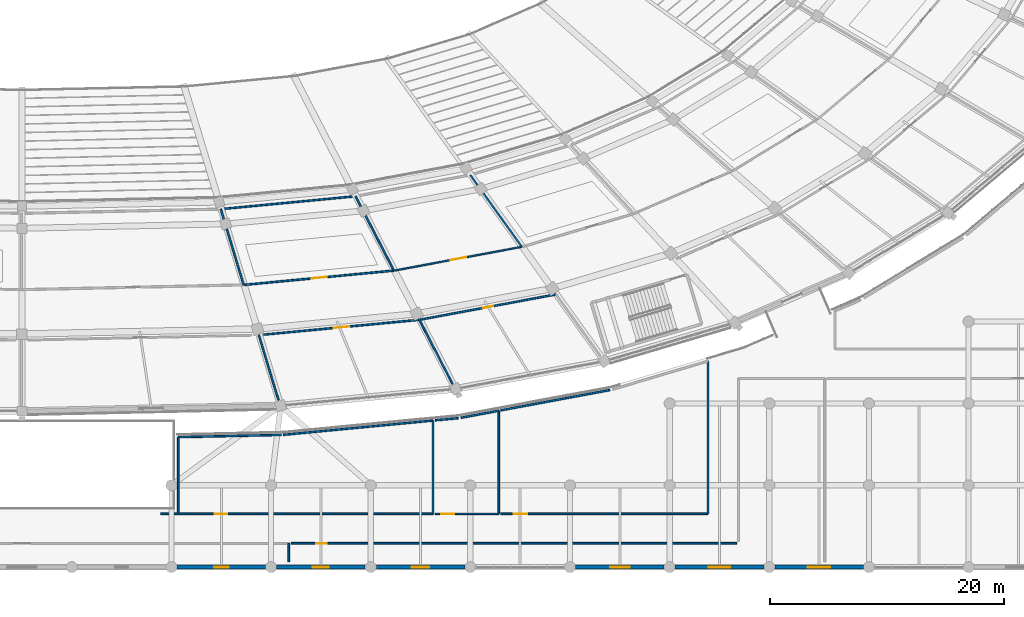
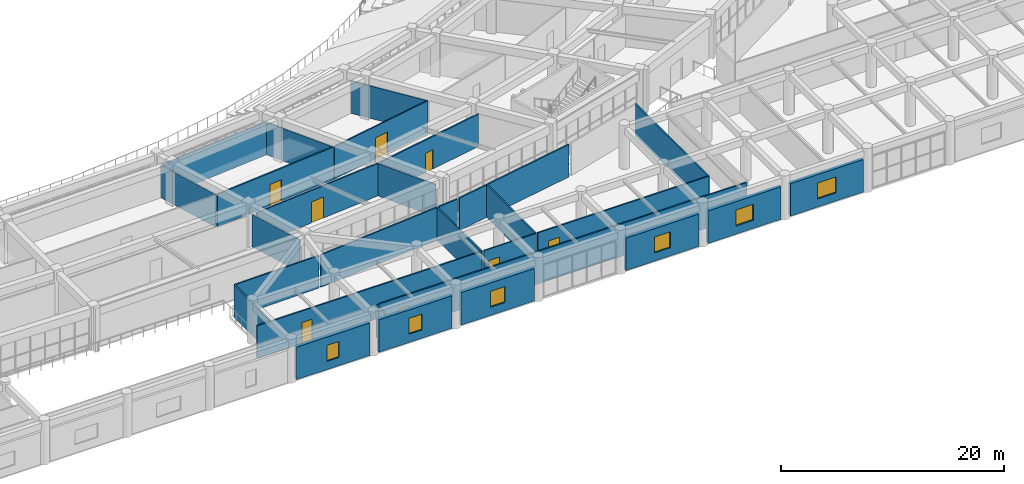
# One storey, part 102 of 152: 30 walls, 8 doors, 6 windows, 14 openings.
"""IFC4 building model written with IfcOpenShell, lengths in metres."""

from ifc_helpers import new_model, si_unit, direction, frame, frame_2d, origin, place, context, subcontext, project, spatial, rectangle, extrude, material, layer, layer_set, type_object, element, fill, save


model = new_model("IFC4")

# Units and contexts
model_context = context("Model", 3, precision=1e-05, world=origin(), true_north=direction((0.0, 1.0)))
body_context = subcontext(model_context, "Body", "Model", "MODEL_VIEW")
ifc_project = project(units=[si_unit("LENGTHUNIT", "METRE"), si_unit("AREAUNIT", "SQUARE_METRE"), si_unit("VOLUMEUNIT", "CUBIC_METRE"), si_unit("PLANEANGLEUNIT", "RADIAN"), si_unit("MASSUNIT", "GRAM", prefix="KILO")], contexts=[model_context])

# Site, building, storey
site_placement = place(None, origin())
site = spatial("IfcSite", under=ifc_project, at=site_placement, CompositionType="ELEMENT")
building_placement = place(site_placement, origin())
building = spatial("IfcBuilding", under=site, at=building_placement, Name="Mphavela Belvedere Stadium", CompositionType="ELEMENT")
storey_placement = place(building_placement, frame((0.0, 0.0, 5.39990234375)))
storey = spatial("IfcBuildingStorey", under=building, at=storey_placement, Name="L01", CompositionType="ELEMENT", Elevation=5.39990234375)

# Wall, opening, window
ifc_material_1 = material(Name="Honed ashlar limestone masonry", Category="masonry")
ifc_layer_1 = layer(ifc_material_1, 0.35009765625)
ifc_layer_set_1 = layer_set([ifc_layer_1], Name="Honed ashlar limestone masonry")
wall_type_1 = type_object("IfcWallType", Name="WAL-EXT-ASHLAR-350", PredefinedType="STANDARD", material=ifc_layer_set_1)
wall_1_placement = place(storey_placement, frame((135.822998046875, 0.0, 0.0), z_axis=(0.0, 0.0, 1.0), x_axis=(-1.0, 0.0, 0.0)))
wall_1 = element("IfcWall", 1, at=wall_1_placement, inside=storey, type_object=wall_type_1, Name="South Axial Triumphal Peristyle Portico outer facade bay L01-16", PredefinedType="STANDARD", context=body_context, shape_type="SweptSolid", body=[
    extrude(rectangle(XDim=7.572021484375, YDim=0.35009765625, at=frame_2d((3.7861328125, 0.0))), origin(), (0.0, 0.0, 1.0), 3.56005859375),
])
opening_1_placement = place(wall_1_placement, frame((3.166015625, 0.0, 0.89990234375)))
opening_1 = element("IfcOpeningElement", 2, at=opening_1_placement, cuts=wall_1, Name="Opening W-057", PredefinedType="OPENING", context=body_context, shape_type="SweptSolid", body=[
    extrude(rectangle(XDim=1.239990234375, YDim=1.75, at=frame_2d((0.6201171875, 0.875))), frame((0.0, 0.18505859375, 0.0), z_axis=(0.0, -1.0, 0.0), x_axis=(1.0, 0.0, 0.0)), (0.0, 0.0, 1.0), 0.3701171875),
])
ifc_material_2 = material(Name="Bronze-anodised thermally broken aluminium window", Category="aluminium")
window_type_1 = type_object("IfcWindowType", Name="WIN-EXT-13", PartitioningType="SINGLE_PANEL", PredefinedType="WINDOW", material=ifc_material_2)
window_1_placement = place(opening_1_placement, origin())
window_1 = element("IfcWindow", 3, at=window_1_placement, inside=storey, type_object=window_type_1, Name="South Axial Triumphal Peristyle Portico classical window W-057", OverallHeight=1.75, OverallWidth=1.239990234375, PartitioningType="SINGLE_PANEL", PredefinedType="WINDOW", context=body_context, shape_type="SweptSolid", body=[
    extrude(rectangle(XDim=1.239990234375, YDim=1.75, at=frame_2d((0.6201171875, 0.875))), frame((0.0, 0.030029296875, 0.0), z_axis=(0.0, -1.0, 0.0), x_axis=(1.0, 0.0, 0.0)), (0.0, 0.0, 1.0), 0.06005859375),
])
fill(opening_1, window_1)

wall_2_placement = place(storey_placement, frame((144.342041015625, 0.0, 0.0), z_axis=(0.0, 0.0, 1.0), x_axis=(-1.0, 0.0, 0.0)))
wall_2 = element("IfcWall", 4, at=wall_2_placement, inside=storey, type_object=wall_type_1, Name="South Axial Triumphal Peristyle Portico outer facade bay L01-17", PredefinedType="STANDARD", context=body_context, shape_type="SweptSolid", body=[
    extrude(rectangle(XDim=7.572998046875, YDim=0.35009765625, at=frame_2d((3.78662109375, 0.0))), origin(), (0.0, 0.0, 1.0), 3.56005859375),
])
opening_2_placement = place(wall_2_placement, frame((3.096435546875, 0.0, 0.89990234375)))
opening_2 = element("IfcOpeningElement", 5, at=opening_2_placement, cuts=wall_2, Name="Opening W-058", PredefinedType="OPENING", context=body_context, shape_type="SweptSolid", body=[
    extrude(rectangle(XDim=1.3798828125, YDim=1.75, at=frame_2d((0.68994140625, 0.875))), frame((0.0, 0.18505859375, 0.0), z_axis=(0.0, -1.0, 0.0), x_axis=(1.0, 0.0, 0.0)), (0.0, 0.0, 1.0), 0.3701171875),
])
ifc_material_3 = material(Name="Bronze-anodised thermally broken aluminium window", Category="aluminium")
window_type_2 = type_object("IfcWindowType", Name="WIN-EXT-14", PartitioningType="SINGLE_PANEL", PredefinedType="WINDOW", material=ifc_material_3)
window_2_placement = place(opening_2_placement, origin())
window_2 = element("IfcWindow", 6, at=window_2_placement, inside=storey, type_object=window_type_2, Name="South Axial Triumphal Peristyle Portico classical window W-058", OverallHeight=1.75, OverallWidth=1.3798828125, PartitioningType="SINGLE_PANEL", PredefinedType="WINDOW", context=body_context, shape_type="SweptSolid", body=[
    extrude(rectangle(XDim=1.3798828125, YDim=1.75, at=frame_2d((0.68994140625, 0.875))), frame((0.0, 0.030029296875, 0.0), z_axis=(0.0, -1.0, 0.0), x_axis=(1.0, 0.0, 0.0)), (0.0, 0.0, 1.0), 0.06005859375),
])
fill(opening_2, window_2)

wall_3_placement = place(storey_placement, frame((152.860107421875, 0.0, 0.0), z_axis=(0.0, 0.0, 1.0), x_axis=(-1.0, 0.0, 0.0)))
wall_3 = element("IfcWall", 7, at=wall_3_placement, inside=storey, type_object=wall_type_1, Name="South Axial Triumphal Peristyle Portico outer facade bay L01-18", PredefinedType="STANDARD", context=body_context, shape_type="SweptSolid", body=[
    extrude(rectangle(XDim=7.572021484375, YDim=0.35009765625, at=frame_2d((3.7861328125, 0.0))), origin(), (0.0, 0.0, 1.0), 3.56005859375),
])
opening_3_placement = place(wall_3_placement, frame((3.02587890625, 0.0, 0.89990234375)))
opening_3 = element("IfcOpeningElement", 8, at=opening_3_placement, cuts=wall_3, Name="Opening W-059", PredefinedType="OPENING", context=body_context, shape_type="SweptSolid", body=[
    extrude(rectangle(XDim=1.52001953125, YDim=1.75, at=frame_2d((0.760009765625, 0.875))), frame((0.0, 0.18505859375, 0.0), z_axis=(0.0, -1.0, 0.0), x_axis=(1.0, 0.0, 0.0)), (0.0, 0.0, 1.0), 0.3701171875),
])
ifc_material_4 = material(Name="Bronze-anodised thermally broken aluminium window", Category="aluminium")
window_type_3 = type_object("IfcWindowType", Name="WIN-EXT-15", PartitioningType="SINGLE_PANEL", PredefinedType="WINDOW", material=ifc_material_4)
window_3_placement = place(opening_3_placement, origin())
window_3 = element("IfcWindow", 9, at=window_3_placement, inside=storey, type_object=window_type_3, Name="South Axial Triumphal Peristyle Portico classical window W-059", OverallHeight=1.75, OverallWidth=1.52001953125, PartitioningType="SINGLE_PANEL", PredefinedType="WINDOW", context=body_context, shape_type="SweptSolid", body=[
    extrude(rectangle(XDim=1.52001953125, YDim=1.75, at=frame_2d((0.760009765625, 0.875))), frame((0.0, 0.030029296875, 0.0), z_axis=(0.0, -1.0, 0.0), x_axis=(1.0, 0.0, 0.0)), (0.0, 0.0, 1.0), 0.06005859375),
])
fill(opening_3, window_3)

wall_4_placement = place(storey_placement, frame((169.89697265625, 0.0, 0.0), z_axis=(0.0, 0.0, 1.0), x_axis=(-1.0, 0.0, 0.0)))
wall_4 = element("IfcWall", 10, at=wall_4_placement, inside=storey, type_object=wall_type_1, Name="South Axial Triumphal Peristyle Portico outer facade bay L01-20", PredefinedType="STANDARD", context=body_context, shape_type="SweptSolid", body=[
    extrude(rectangle(XDim=7.572021484375, YDim=0.35009765625, at=frame_2d((3.7861328125, 0.0))), origin(), (0.0, 0.0, 1.0), 3.56005859375),
])
opening_4_placement = place(wall_4_placement, frame((2.9560546875, 0.0, 0.89990234375)))
opening_4 = element("IfcOpeningElement", 11, at=opening_4_placement, cuts=wall_4, Name="Opening W-060", PredefinedType="OPENING", context=body_context, shape_type="SweptSolid", body=[
    extrude(rectangle(XDim=1.659912109375, YDim=1.75, at=frame_2d((0.830078125, 0.875))), frame((0.0, 0.18505859375, 0.0), z_axis=(0.0, -1.0, 0.0), x_axis=(1.0, 0.0, 0.0)), (0.0, 0.0, 1.0), 0.3701171875),
])
ifc_material_5 = material(Name="Bronze-anodised thermally broken aluminium window", Category="aluminium")
window_type_4 = type_object("IfcWindowType", Name="WIN-EXT-16", PartitioningType="SINGLE_PANEL", PredefinedType="WINDOW", material=ifc_material_5)
window_4_placement = place(opening_4_placement, origin())
window_4 = element("IfcWindow", 12, at=window_4_placement, inside=storey, type_object=window_type_4, Name="South Axial Triumphal Peristyle Portico classical window W-060", OverallHeight=1.75, OverallWidth=1.659912109375, PartitioningType="SINGLE_PANEL", PredefinedType="WINDOW", context=body_context, shape_type="SweptSolid", body=[
    extrude(rectangle(XDim=1.659912109375, YDim=1.75, at=frame_2d((0.830078125, 0.875))), frame((0.0, 0.030029296875, 0.0), z_axis=(0.0, -1.0, 0.0), x_axis=(1.0, 0.0, 0.0)), (0.0, 0.0, 1.0), 0.06005859375),
])
fill(opening_4, window_4)

wall_5_placement = place(storey_placement, frame((178.416015625, 0.0, 0.0), z_axis=(0.0, 0.0, 1.0), x_axis=(-1.0, 0.0, 0.0)))
wall_5 = element("IfcWall", 13, at=wall_5_placement, inside=storey, type_object=wall_type_1, Name="South Axial Triumphal Peristyle Portico outer facade bay L01-21", PredefinedType="STANDARD", context=body_context, shape_type="SweptSolid", body=[
    extrude(rectangle(XDim=7.572998046875, YDim=0.35009765625, at=frame_2d((3.78662109375, 0.0))), origin(), (0.0, 0.0, 1.0), 3.56005859375),
])
opening_5_placement = place(wall_5_placement, frame((2.886474609375, 0.0, 0.89990234375)))
opening_5 = element("IfcOpeningElement", 14, at=opening_5_placement, cuts=wall_5, Name="Opening W-061", PredefinedType="OPENING", context=body_context, shape_type="SweptSolid", body=[
    extrude(rectangle(XDim=1.800048828125, YDim=1.75, at=frame_2d((0.89990234375, 0.875))), frame((0.0, 0.18505859375, 0.0), z_axis=(0.0, -1.0, 0.0), x_axis=(1.0, 0.0, 0.0)), (0.0, 0.0, 1.0), 0.3701171875),
])
ifc_material_6 = material(Name="Bronze-anodised thermally broken aluminium window", Category="aluminium")
window_type_5 = type_object("IfcWindowType", Name="WIN-EXT-17", PartitioningType="SINGLE_PANEL", PredefinedType="WINDOW", material=ifc_material_6)
window_5_placement = place(opening_5_placement, origin())
window_5 = element("IfcWindow", 15, at=window_5_placement, inside=storey, type_object=window_type_5, Name="South Axial Triumphal Peristyle Portico classical window W-061", OverallHeight=1.75, OverallWidth=1.800048828125, PartitioningType="SINGLE_PANEL", PredefinedType="WINDOW", context=body_context, shape_type="SweptSolid", body=[
    extrude(rectangle(XDim=1.800048828125, YDim=1.75, at=frame_2d((0.89990234375, 0.875))), frame((0.0, 0.030029296875, 0.0), z_axis=(0.0, -1.0, 0.0), x_axis=(1.0, 0.0, 0.0)), (0.0, 0.0, 1.0), 0.06005859375),
])
fill(opening_5, window_5)

wall_6_placement = place(storey_placement, frame((186.93408203125, 0.0, 0.0), z_axis=(0.0, 0.0, 1.0), x_axis=(-1.0, 0.0, 0.0)))
wall_6 = element("IfcWall", 16, at=wall_6_placement, inside=storey, type_object=wall_type_1, Name="South Axial Triumphal Peristyle Portico outer facade bay L01-22", PredefinedType="STANDARD", context=body_context, shape_type="SweptSolid", body=[
    extrude(rectangle(XDim=7.572021484375, YDim=0.35009765625, at=frame_2d((3.7861328125, 0.0))), origin(), (0.0, 0.0, 1.0), 3.56005859375),
])
opening_6_placement = place(wall_6_placement, frame((2.81591796875, 0.0, 0.89990234375)))
opening_6 = element("IfcOpeningElement", 17, at=opening_6_placement, cuts=wall_6, Name="Opening W-062", PredefinedType="OPENING", context=body_context, shape_type="SweptSolid", body=[
    extrude(rectangle(XDim=1.93994140625, YDim=1.75, at=frame_2d((0.969970703125, 0.875))), frame((0.0, 0.18505859375, 0.0), z_axis=(0.0, -1.0, 0.0), x_axis=(1.0, 0.0, 0.0)), (0.0, 0.0, 1.0), 0.3701171875),
])
ifc_material_7 = material(Name="Bronze-anodised thermally broken aluminium window", Category="aluminium")
window_type_6 = type_object("IfcWindowType", Name="WIN-EXT-18", PartitioningType="SINGLE_PANEL", PredefinedType="WINDOW", material=ifc_material_7)
window_6_placement = place(opening_6_placement, origin())
window_6 = element("IfcWindow", 18, at=window_6_placement, inside=storey, type_object=window_type_6, Name="South Axial Triumphal Peristyle Portico classical window W-062", OverallHeight=1.75, OverallWidth=1.93994140625, PartitioningType="SINGLE_PANEL", PredefinedType="WINDOW", context=body_context, shape_type="SweptSolid", body=[
    extrude(rectangle(XDim=1.93994140625, YDim=1.75, at=frame_2d((0.969970703125, 0.875))), frame((0.0, 0.030029296875, 0.0), z_axis=(0.0, -1.0, 0.0), x_axis=(1.0, 0.0, 0.0)), (0.0, 0.0, 1.0), 0.06005859375),
])
fill(opening_6, window_6)

# Wall, opening, door
ifc_material_8 = material(Name="Moisture-resistant sanitary partition assembly")
ifc_layer_2 = layer(ifc_material_8, 0.125)
ifc_layer_set_2 = layer_set([ifc_layer_2], Name="Moisture-resistant sanitary partition assembly")
wall_type_2 = type_object("IfcWallType", Name="WAL-PART-125", PredefinedType="PARTITIONING", material=ifc_layer_set_2)
wall_7_placement = place(storey_placement, frame((157.731689453125, 27.3857421875, 0.0), z_axis=(0.0, 0.0, 1.0), x_axis=(-0.983097372707, -0.183083466695, 0.0)))
wall_7 = element("IfcWall", 19, at=wall_7_placement, inside=storey, type_object=wall_type_2, Name="Room L01-134 corridor partition", PredefinedType="PARTITIONING", context=body_context, shape_type="SweptSolid", body=[
    extrude(rectangle(XDim=11.03466796875, YDim=0.125, at=frame_2d((5.517333984375, 0.0))), origin(), (0.0, 0.0, 1.0), 3.550048828125),
])
opening_7_placement = place(wall_7_placement, frame((4.8173828125, 0.0, 0.0)))
opening_7 = element("IfcOpeningElement", 20, at=opening_7_placement, cuts=wall_7, Name="Opening ID-144", PredefinedType="OPENING", context=body_context, shape_type="SweptSolid", body=[
    extrude(rectangle(XDim=1.39990234375, YDim=2.300048828125, at=frame_2d((0.699951171875, 1.14990234375))), frame((0.0, 0.072509765625, 0.0), z_axis=(0.0, -1.0, 0.0), x_axis=(1.0, 0.0, 0.0)), (0.0, 0.0, 1.0), 0.14501953125),
])
ifc_material_9 = material(Name="Hardwood acoustic timber doorset", Category="wood")
door_type_1 = type_object("IfcDoorType", Name="DR-INT-36", OperationType="NOTDEFINED", PredefinedType="DOOR", material=ifc_material_9)
door_1_placement = place(opening_7_placement, origin())
door_1 = element("IfcDoor", 21, at=door_1_placement, inside=storey, type_object=door_type_1, Name="Room L01-134 entrance door ID-144", OperationType="SINGLE_SWING_RIGHT", OverallHeight=2.300048828125, OverallWidth=1.39990234375, PredefinedType="DOOR", context=body_context, shape_type="SweptSolid", body=[
    extrude(rectangle(XDim=1.39990234375, YDim=2.300048828125, at=frame_2d((0.699951171875, 1.14990234375))), frame((0.0, 0.02490234375, 0.0), z_axis=(0.0, -1.0, 0.0), x_axis=(1.0, 0.0, 0.0)), (0.0, 0.0, 1.0), 0.050048828125),
])
fill(opening_7, door_1)

wall_8_placement = place(storey_placement, frame((155.763916015625, 4.56005859375, 0.0), z_axis=(0.0, 0.0, 1.0), x_axis=(-1.0, 0.0, 0.0)))
wall_8 = element("IfcWall", 22, at=wall_8_placement, inside=storey, type_object=wall_type_2, Name="Room L01-171 corridor partition", PredefinedType="PARTITIONING", context=body_context, shape_type="SweptSolid", body=[
    extrude(rectangle(XDim=5.419921875, YDim=0.125, at=frame_2d((2.7099609375, 0.0))), origin(), (0.0, 0.0, 1.0), 3.550048828125),
])
opening_8_placement = place(wall_8_placement, frame((3.81591796875, 0.0, 0.0)))
opening_8 = element("IfcOpeningElement", 23, at=opening_8_placement, cuts=wall_8, Name="Opening ID-390", PredefinedType="OPENING", context=body_context, shape_type="SweptSolid", body=[
    extrude(rectangle(XDim=1.10009765625, YDim=2.300048828125, at=frame_2d((0.550048828125, 1.14990234375))), frame((0.0, 0.072509765625, 0.0), z_axis=(0.0, -1.0, 0.0), x_axis=(1.0, 0.0, 0.0)), (0.0, 0.0, 1.0), 0.14501953125),
])
ifc_material_10 = material(Name="Hardwood acoustic timber doorset", Category="wood")
door_type_2 = type_object("IfcDoorType", Name="DR-INT-30", OperationType="NOTDEFINED", PredefinedType="DOOR", material=ifc_material_10)
door_2_placement = place(opening_8_placement, origin())
door_2 = element("IfcDoor", 24, at=door_2_placement, inside=storey, type_object=door_type_2, Name="Room L01-171 entrance door ID-390", OperationType="SINGLE_SWING_RIGHT", OverallHeight=2.300048828125, OverallWidth=1.10009765625, PredefinedType="DOOR", context=body_context, shape_type="SweptSolid", body=[
    extrude(rectangle(XDim=1.10009765625, YDim=2.300048828125, at=frame_2d((0.550048828125, 1.14990234375))), frame((0.0, 0.02490234375, 0.0), z_axis=(0.0, -1.0, 0.0), x_axis=(1.0, 0.0, 0.0)), (0.0, 0.0, 1.0), 0.050048828125),
])
fill(opening_8, door_2)

ifc_material_11 = material(Name="Acoustic gypsum stud partition assembly")
ifc_layer_3 = layer(ifc_material_11, 0.14990234375)
ifc_layer_set_3 = layer_set([ifc_layer_3], Name="Acoustic gypsum stud partition assembly")
wall_type_3 = type_object("IfcWallType", Name="WAL-PART-150", PredefinedType="PARTITIONING", material=ifc_layer_set_3)
wall_9_placement = place(storey_placement, frame((146.799072265625, 25.354736328125, 0.0), z_axis=(0.0, 0.0, 1.0), x_axis=(-0.995485111947, -0.094917816515, 0.0)))
wall_9 = element("IfcWall", 25, at=wall_9_placement, inside=storey, type_object=wall_type_3, Name="Room L01-131 corridor partition", PredefinedType="PARTITIONING", context=body_context, shape_type="SweptSolid", body=[
    extrude(rectangle(XDim=12.822021484375, YDim=0.14990234375, at=frame_2d((6.4111328125, 0.0))), origin(), (0.0, 0.0, 1.0), 3.550048828125),
])
opening_9_placement = place(wall_9_placement, frame((5.781005859375, 0.0, 0.0)))
opening_9 = element("IfcOpeningElement", 26, at=opening_9_placement, cuts=wall_9, Name="Opening ID-142", PredefinedType="OPENING", context=body_context, shape_type="SweptSolid", body=[
    extrude(rectangle(XDim=1.260009765625, YDim=2.300048828125, at=frame_2d((0.6298828125, 1.14990234375))), frame((0.0, 0.0849609375, 0.0), z_axis=(0.0, -1.0, 0.0), x_axis=(1.0, 0.0, 0.0)), (0.0, 0.0, 1.0), 0.169921875),
])
ifc_material_12 = material(Name="Hardwood acoustic timber doorset", Category="wood")
door_type_3 = type_object("IfcDoorType", Name="DR-INT-34", OperationType="NOTDEFINED", PredefinedType="DOOR", material=ifc_material_12)
door_3_placement = place(opening_9_placement, origin())
door_3 = element("IfcDoor", 27, at=door_3_placement, inside=storey, type_object=door_type_3, Name="Room L01-131 entrance door ID-142", OperationType="SINGLE_SWING_RIGHT", OverallHeight=2.300048828125, OverallWidth=1.260009765625, PredefinedType="DOOR", context=body_context, shape_type="SweptSolid", body=[
    extrude(rectangle(XDim=1.260009765625, YDim=2.300048828125, at=frame_2d((0.6298828125, 1.14990234375))), frame((0.0, 0.02490234375, 0.0), z_axis=(0.0, -1.0, 0.0), x_axis=(1.0, 0.0, 0.0)), (0.0, 0.0, 1.0), 0.050048828125),
])
fill(opening_9, door_3)

wall_10_placement = place(storey_placement, frame((135.68115234375, 19.880859375, 0.0), z_axis=(0.0, 0.0, 1.0), x_axis=(0.995484535327, 0.094923863827, 0.0)))
wall_10 = element("IfcWall", 28, at=wall_10_placement, inside=storey, type_object=wall_type_3, Name="Room L01-132 corridor partition", PredefinedType="PARTITIONING", context=body_context, shape_type="SweptSolid", body=[
    extrude(rectangle(XDim=13.35107421875, YDim=0.14990234375, at=frame_2d((6.675537109375, 0.0))), origin(), (0.0, 0.0, 1.0), 3.550048828125),
])
opening_10_placement = place(wall_10_placement, frame((6.015380859375, 0.0, 0.0)))
opening_10 = element("IfcOpeningElement", 29, at=opening_10_placement, cuts=wall_10, Name="Opening ID-143", PredefinedType="OPENING", context=body_context, shape_type="SweptSolid", body=[
    extrude(rectangle(XDim=1.320068359375, YDim=2.300048828125, at=frame_2d((0.66015625, 1.14990234375))), frame((0.0, 0.0849609375, 0.0), z_axis=(0.0, -1.0, 0.0), x_axis=(1.0, 0.0, 0.0)), (0.0, 0.0, 1.0), 0.169921875),
])
ifc_material_13 = material(Name="Hardwood acoustic timber doorset", Category="wood")
door_type_4 = type_object("IfcDoorType", Name="DR-INT-35", OperationType="NOTDEFINED", PredefinedType="DOOR", material=ifc_material_13)
door_4_placement = place(opening_10_placement, origin())
door_4 = element("IfcDoor", 30, at=door_4_placement, inside=storey, type_object=door_type_4, Name="Room L01-132 entrance door ID-143", OperationType="SINGLE_SWING_LEFT", OverallHeight=2.300048828125, OverallWidth=1.320068359375, PredefinedType="DOOR", context=body_context, shape_type="SweptSolid", body=[
    extrude(rectangle(XDim=1.320068359375, YDim=2.300048828125, at=frame_2d((0.66015625, 1.14990234375))), frame((0.0, 0.02490234375, 0.0), z_axis=(0.0, -1.0, 0.0), x_axis=(1.0, 0.0, 0.0)), (0.0, 0.0, 1.0), 0.050048828125),
])
fill(opening_10, door_4)

wall_11_placement = place(storey_placement, frame((149.055419921875, 21.1611328125, 0.0), z_axis=(0.0, 0.0, 1.0), x_axis=(0.983095748229, 0.183092189385, 0.0)))
wall_11 = element("IfcWall", 31, at=wall_11_placement, inside=storey, type_object=wall_type_3, Name="Room L01-135 corridor partition", PredefinedType="PARTITIONING", context=body_context, shape_type="SweptSolid", body=[
    extrude(rectangle(XDim=11.79296875, YDim=0.14990234375, at=frame_2d((5.896484375, 0.0))), origin(), (0.0, 0.0, 1.0), 3.550048828125),
])
opening_11_placement = place(wall_11_placement, frame((5.446533203125, 0.0, 0.0)))
opening_11 = element("IfcOpeningElement", 32, at=opening_11_placement, cuts=wall_11, Name="Opening ID-145", PredefinedType="OPENING", context=body_context, shape_type="SweptSolid", body=[
    extrude(rectangle(XDim=0.89990234375, YDim=2.10009765625, at=frame_2d((0.449951171875, 1.050048828125))), frame((0.0, 0.0849609375, 0.0), z_axis=(0.0, -1.0, 0.0), x_axis=(1.0, 0.0, 0.0)), (0.0, 0.0, 1.0), 0.169921875),
])
ifc_material_14 = material(Name="Hardwood acoustic timber doorset", Category="wood")
door_type_5 = type_object("IfcDoorType", Name="DR-INT-01", OperationType="NOTDEFINED", PredefinedType="DOOR", material=ifc_material_14)
door_5_placement = place(opening_11_placement, origin())
door_5 = element("IfcDoor", 33, at=door_5_placement, inside=storey, type_object=door_type_5, Name="Room L01-135 entrance door ID-145", OperationType="SINGLE_SWING_LEFT", OverallHeight=2.10009765625, OverallWidth=0.89990234375, PredefinedType="DOOR", context=body_context, shape_type="SweptSolid", body=[
    extrude(rectangle(XDim=0.89990234375, YDim=2.10009765625, at=frame_2d((0.449951171875, 1.050048828125))), frame((0.0, 0.02490234375, 0.0), z_axis=(0.0, -1.0, 0.0), x_axis=(1.0, 0.0, 0.0)), (0.0, 0.0, 1.0), 0.050048828125),
])
fill(opening_11, door_5)

wall_12_placement = place(storey_placement, frame((138.010009765625, 2.0400390625, 0.0), z_axis=(0.0, 0.0, 1.0), x_axis=(1.0, 0.0, 0.0)))
wall_12 = element("IfcWall", 34, at=wall_12_placement, inside=storey, type_object=wall_type_3, Name="Room L01-166 corridor partition", PredefinedType="PARTITIONING", context=body_context, shape_type="SweptSolid", body=[
    extrude(rectangle(XDim=38.090087890625, YDim=0.14990234375, at=frame_2d((19.044921875, 0.0))), origin(), (0.0, 0.0, 1.0), 3.550048828125),
])
opening_12_placement = place(wall_12_placement, frame((2.1474609375, 0.0, 0.0)))
opening_12 = element("IfcOpeningElement", 35, at=opening_12_placement, cuts=wall_12, Name="Opening ID-385", PredefinedType="OPENING", context=body_context, shape_type="SweptSolid", body=[
    extrude(rectangle(XDim=0.89990234375, YDim=2.300048828125, at=frame_2d((0.449951171875, 1.14990234375))), frame((0.0, 0.0849609375, 0.0), z_axis=(0.0, -1.0, 0.0), x_axis=(1.0, 0.0, 0.0)), (0.0, 0.0, 1.0), 0.169921875),
])
ifc_material_15 = material(Name="Hardwood acoustic timber doorset", Category="wood")
door_type_6 = type_object("IfcDoorType", Name="DR-INT-25", OperationType="NOTDEFINED", PredefinedType="DOOR", material=ifc_material_15)
door_6_placement = place(opening_12_placement, origin())
door_6 = element("IfcDoor", 36, at=door_6_placement, inside=storey, type_object=door_type_6, Name="Room L01-166 entrance door ID-385", OperationType="SINGLE_SWING_LEFT", OverallHeight=2.300048828125, OverallWidth=0.89990234375, PredefinedType="DOOR", context=body_context, shape_type="SweptSolid", body=[
    extrude(rectangle(XDim=0.89990234375, YDim=2.300048828125, at=frame_2d((0.449951171875, 1.14990234375))), frame((0.0, 0.02490234375, 0.0), z_axis=(0.0, -1.0, 0.0), x_axis=(1.0, 0.0, 0.0)), (0.0, 0.0, 1.0), 0.050048828125),
])
fill(opening_12, door_6)

wall_13_placement = place(storey_placement, frame((150.14404296875, 4.56005859375, 0.0), z_axis=(0.0, 0.0, 1.0), x_axis=(-1.0, 0.0, 0.0)))
wall_13 = element("IfcWall", 37, at=wall_13_placement, inside=storey, type_object=wall_type_3, Name="Room L01-170 corridor partition", PredefinedType="PARTITIONING", context=body_context, shape_type="SweptSolid", body=[
    extrude(rectangle(XDim=23.296142578125, YDim=0.14990234375, at=frame_2d((11.64794921875, 0.0))), origin(), (0.0, 0.0, 1.0), 3.550048828125),
])
opening_13_placement = place(wall_13_placement, frame((17.5966796875, 0.0, 0.0)))
opening_13 = element("IfcOpeningElement", 38, at=opening_13_placement, cuts=wall_13, Name="Opening ID-389", PredefinedType="OPENING", context=body_context, shape_type="SweptSolid", body=[
    extrude(rectangle(XDim=1.06005859375, YDim=2.300048828125, at=frame_2d((0.530029296875, 1.14990234375))), frame((0.0, 0.0849609375, 0.0), z_axis=(0.0, -1.0, 0.0), x_axis=(1.0, 0.0, 0.0)), (0.0, 0.0, 1.0), 0.169921875),
])
ifc_material_16 = material(Name="Hardwood acoustic timber doorset", Category="wood")
door_type_7 = type_object("IfcDoorType", Name="DR-INT-29", OperationType="NOTDEFINED", PredefinedType="DOOR", material=ifc_material_16)
door_7_placement = place(opening_13_placement, origin())
door_7 = element("IfcDoor", 39, at=door_7_placement, inside=storey, type_object=door_type_7, Name="Room L01-170 entrance door ID-389", OperationType="SINGLE_SWING_LEFT", OverallHeight=2.300048828125, OverallWidth=1.06005859375, PredefinedType="DOOR", context=body_context, shape_type="SweptSolid", body=[
    extrude(rectangle(XDim=1.06005859375, YDim=2.300048828125, at=frame_2d((0.530029296875, 1.14990234375))), frame((0.0, 0.02490234375, 0.0), z_axis=(0.0, -1.0, 0.0), x_axis=(1.0, 0.0, 0.0)), (0.0, 0.0, 1.0), 0.050048828125),
])
fill(opening_13, door_7)

wall_14_placement = place(storey_placement, frame((173.639892578125, 4.56005859375, 0.0), z_axis=(0.0, 0.0, 1.0), x_axis=(-1.0, 0.0, 0.0)))
wall_14 = element("IfcWall", 40, at=wall_14_placement, inside=storey, type_object=wall_type_3, Name="Room L01-172 corridor partition", PredefinedType="PARTITIONING", context=body_context, shape_type="SweptSolid", body=[
    extrude(rectangle(XDim=17.7158203125, YDim=0.14990234375, at=frame_2d((8.85791015625, 0.0))), origin(), (0.0, 0.0, 1.0), 3.550048828125),
])
opening_14_placement = place(wall_14_placement, frame((15.459228515625, 0.0, 0.0)))
opening_14 = element("IfcOpeningElement", 41, at=opening_14_placement, cuts=wall_14, Name="Opening ID-391", PredefinedType="OPENING", context=body_context, shape_type="SweptSolid", body=[
    extrude(rectangle(XDim=1.139892578125, YDim=2.300048828125, at=frame_2d((0.56982421875, 1.14990234375))), frame((0.0, 0.0849609375, 0.0), z_axis=(0.0, -1.0, 0.0), x_axis=(1.0, 0.0, 0.0)), (0.0, 0.0, 1.0), 0.169921875),
])
ifc_material_17 = material(Name="Hardwood acoustic timber doorset", Category="wood")
door_type_8 = type_object("IfcDoorType", Name="DR-INT-31", OperationType="NOTDEFINED", PredefinedType="DOOR", material=ifc_material_17)
door_8_placement = place(opening_14_placement, origin())
door_8 = element("IfcDoor", 42, at=door_8_placement, inside=storey, type_object=door_type_8, Name="Room L01-172 entrance door ID-391", OperationType="SINGLE_SWING_LEFT", OverallHeight=2.300048828125, OverallWidth=1.139892578125, PredefinedType="DOOR", context=body_context, shape_type="SweptSolid", body=[
    extrude(rectangle(XDim=1.139892578125, YDim=2.300048828125, at=frame_2d((0.56982421875, 1.14990234375))), frame((0.0, 0.02490234375, 0.0), z_axis=(0.0, -1.0, 0.0), x_axis=(1.0, 0.0, 0.0)), (0.0, 0.0, 1.0), 0.050048828125),
])
fill(opening_14, door_8)

# Walls
wall_15_placement = place(storey_placement, frame((131.99462890625, 30.614013671875, 0.0), z_axis=(0.0, 0.0, 1.0), x_axis=(0.289226587364, -0.957260665212, 0.0)))
element("IfcWall", 43, at=wall_15_placement, inside=storey, type_object=wall_type_3, Name="Room divider partition L01-0250", PredefinedType="PARTITIONING", context=body_context, shape_type="SweptSolid", body=[
    extrude(rectangle(XDim=6.769775390625, YDim=0.14990234375, at=frame_2d((3.384765625, 0.0))), origin(), (0.0, 0.0, 1.0), 3.550048828125),
])
wall_16_placement = place(storey_placement, frame((135.249267578125, 19.842041015625, 0.0), z_axis=(0.0, 0.0, 1.0), x_axis=(0.289195444178, -0.957270074256, 0.0)))
element("IfcWall", 44, at=wall_16_placement, inside=storey, type_object=wall_type_3, Name="Room divider partition L01-0251", PredefinedType="PARTITIONING", context=body_context, shape_type="SweptSolid", body=[
    extrude(rectangle(XDim=5.8173828125, YDim=0.14990234375, at=frame_2d((2.90869140625, 0.0))), origin(), (0.0, 0.0, 1.0), 3.550048828125),
])
wall_17_placement = place(storey_placement, frame((132.076416015625, 30.619384765625, 0.0), z_axis=(0.0, 0.0, 1.0), x_axis=(0.995484580871, 0.094923386203, 0.0)))
element("IfcWall", 45, at=wall_17_placement, inside=storey, type_object=wall_type_3, Name="Room divider partition L01-0252", PredefinedType="PARTITIONING", context=body_context, shape_type="SweptSolid", body=[
    extrude(rectangle(XDim=11.49169921875, YDim=0.14990234375, at=frame_2d((5.745849609375, 0.0))), origin(), (0.0, 0.0, 1.0), 3.550048828125),
])
wall_18_placement = place(storey_placement, frame((143.51611328125, 31.710205078125, 0.0), z_axis=(0.0, 0.0, 1.0), x_axis=(0.458942826051, -0.888465802615, 0.0)))
element("IfcWall", 46, at=wall_18_placement, inside=storey, type_object=wall_type_3, Name="Room divider partition L01-0253", PredefinedType="PARTITIONING", context=body_context, shape_type="SweptSolid", body=[
    extrude(rectangle(XDim=7.1533203125, YDim=0.14990234375, at=frame_2d((3.57666015625, 0.0))), origin(), (0.0, 0.0, 1.0), 3.550048828125),
])
wall_19_placement = place(storey_placement, frame((148.971923828125, 21.148193359375, 0.0), z_axis=(0.0, 0.0, 1.0), x_axis=(0.45896480759, -0.888454447563, 0.0)))
element("IfcWall", 47, at=wall_19_placement, inside=storey, type_object=wall_type_3, Name="Room divider partition L01-0254", PredefinedType="PARTITIONING", context=body_context, shape_type="SweptSolid", body=[
    extrude(rectangle(XDim=6.16259765625, YDim=0.14990234375, at=frame_2d((3.081298828125, 0.0))), origin(), (0.0, 0.0, 1.0), 3.550048828125),
])
wall_20_placement = place(storey_placement, frame((153.31982421875, 33.533447265625, 0.0), z_axis=(0.0, 0.0, 1.0), x_axis=(0.583043547447, -0.812440903562, 0.0)))
element("IfcWall", 48, at=wall_20_placement, inside=storey, type_object=wall_type_3, Name="Room divider partition L01-0256", PredefinedType="PARTITIONING", context=body_context, shape_type="SweptSolid", body=[
    extrude(rectangle(XDim=7.56689453125, YDim=0.14990234375, at=frame_2d((3.783447265625, 0.0))), origin(), (0.0, 0.0, 1.0), 3.550048828125),
])
wall_21_placement = place(storey_placement, frame((137.81005859375, 2.0400390625, 0.0), z_axis=(0.0, 0.0, 1.0), x_axis=(0.0, -1.0, 0.0)))
element("IfcWall", 49, at=wall_21_placement, inside=storey, type_object=wall_type_3, Name="Room divider partition L01-0714", PredefinedType="PARTITIONING", context=body_context, shape_type="SweptSolid", body=[
    extrude(rectangle(XDim=1.590087890625, YDim=0.14990234375, at=frame_2d((0.794921875, 0.0))), origin(), (0.0, 0.0, 1.0), 3.550048828125),
])
wall_22_placement = place(storey_placement, frame((128.35009765625, 4.64990234375, 0.0), z_axis=(0.0, 0.0, 1.0), x_axis=(0.0, 1.0, 0.0)))
element("IfcWall", 50, at=wall_22_placement, inside=storey, type_object=wall_type_3, Name="Room divider partition L01-0736", PredefinedType="PARTITIONING", context=body_context, shape_type="SweptSolid", body=[
    extrude(rectangle(XDim=6.467041015625, YDim=0.14990234375, at=frame_2d((3.2333984375, 0.0))), origin(), (0.0, 0.0, 1.0), 3.550048828125),
])
wall_23_placement = place(storey_placement, frame((128.35009765625, 11.116943359375, 0.0), z_axis=(0.0, 0.0, 1.0), x_axis=(0.999768109674, 0.021534318641, 0.0)))
element("IfcWall", 51, at=wall_23_placement, inside=storey, type_object=wall_type_3, Name="Room divider partition L01-0737", PredefinedType="PARTITIONING", context=body_context, shape_type="SweptSolid", body=[
    extrude(rectangle(XDim=8.8203125, YDim=0.14990234375, at=frame_2d((4.41015625, 0.0))), origin(), (0.0, 0.0, 1.0), 3.550048828125),
])
wall_24_placement = place(storey_placement, frame((137.351806640625, 11.3173828125, 0.0), z_axis=(0.0, 0.0, 1.0), x_axis=(0.995483253835, 0.094937302124, 0.0)))
element("IfcWall", 52, at=wall_24_placement, inside=storey, type_object=wall_type_3, Name="Room divider partition L01-0738", PredefinedType="PARTITIONING", context=body_context, shape_type="SweptSolid", body=[
    extrude(rectangle(XDim=12.850341796875, YDim=0.14990234375, at=frame_2d((6.42529296875, 0.0))), origin(), (0.0, 0.0, 1.0), 3.550048828125),
])
wall_25_placement = place(storey_placement, frame((150.14404296875, 12.537353515625, 0.0), z_axis=(0.0, 0.0, 1.0), x_axis=(0.0, -1.0, 0.0)))
element("IfcWall", 53, at=wall_25_placement, inside=storey, type_object=wall_type_3, Name="Room divider partition L01-0739", PredefinedType="PARTITIONING", context=body_context, shape_type="SweptSolid", body=[
    extrude(rectangle(XDim=7.977294921875, YDim=0.14990234375, at=frame_2d((3.98876953125, 0.0))), origin(), (0.0, 0.0, 1.0), 3.550048828125),
])
wall_26_placement = place(storey_placement, frame((152.530517578125, 12.77490234375, 0.0), z_axis=(0.0, 0.0, 1.0), x_axis=(0.983089981796, 0.18312314898, 0.0)))
element("IfcWall", 54, at=wall_26_placement, inside=storey, type_object=wall_type_3, Name="Room divider partition L01-0740", PredefinedType="PARTITIONING", context=body_context, shape_type="SweptSolid", body=[
    extrude(rectangle(XDim=3.2890625, YDim=0.14990234375, at=frame_2d((1.64453125, 0.0))), origin(), (0.0, 0.0, 1.0), 3.550048828125),
])
wall_27_placement = place(storey_placement, frame((155.763916015625, 13.377197265625, 0.0), z_axis=(0.0, 0.0, 1.0), x_axis=(0.0, -1.0, 0.0)))
element("IfcWall", 55, at=wall_27_placement, inside=storey, type_object=wall_type_3, Name="Room divider partition L01-0741", PredefinedType="PARTITIONING", context=body_context, shape_type="SweptSolid", body=[
    extrude(rectangle(XDim=8.817138671875, YDim=0.14990234375, at=frame_2d((4.40869140625, 0.0))), origin(), (0.0, 0.0, 1.0), 3.550048828125),
])
wall_28_placement = place(storey_placement, frame((150.343994140625, 12.556396484375, 0.0), z_axis=(0.0, 0.0, 1.0), x_axis=(0.995483241572, 0.094937430712, 0.0)))
element("IfcWall", 56, at=wall_28_placement, inside=storey, type_object=wall_type_3, Name="Room divider partition L01-0742", PredefinedType="PARTITIONING", context=body_context, shape_type="SweptSolid", body=[
    extrude(rectangle(XDim=1.97509765625, YDim=0.14990234375, at=frame_2d((0.987548828125, 0.0))), origin(), (0.0, 0.0, 1.0), 3.550048828125),
])
wall_29_placement = place(storey_placement, frame((173.639892578125, 17.618896484375, 0.0), z_axis=(0.0, 0.0, 1.0), x_axis=(0.0, -1.0, 0.0)))
element("IfcWall", 57, at=wall_29_placement, inside=storey, type_object=wall_type_3, Name="Room divider partition L01-0744", PredefinedType="PARTITIONING", context=body_context, shape_type="SweptSolid", body=[
    extrude(rectangle(XDim=13.058837890625, YDim=0.14990234375, at=frame_2d((6.529296875, 0.0))), origin(), (0.0, 0.0, 1.0), 3.550048828125),
])
wall_30_placement = place(storey_placement, frame((155.924072265625, 13.406982421875, 0.0), z_axis=(0.0, 0.0, 1.0), x_axis=(0.983095301178, 0.183094589766, 0.0)))
element("IfcWall", 58, at=wall_30_placement, inside=storey, type_object=wall_type_3, Name="Room divider partition L01-0745", PredefinedType="PARTITIONING", context=body_context, shape_type="SweptSolid", body=[
    extrude(rectangle(XDim=9.4951171875, YDim=0.14990234375, at=frame_2d((4.74755859375, 0.0))), origin(), (0.0, 0.0, 1.0), 3.550048828125),
])

save(model, "model.ifc")
